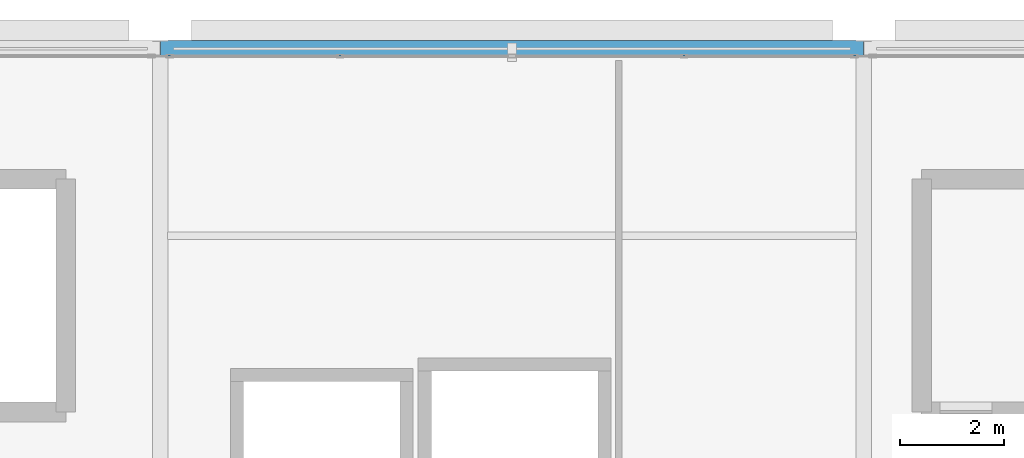
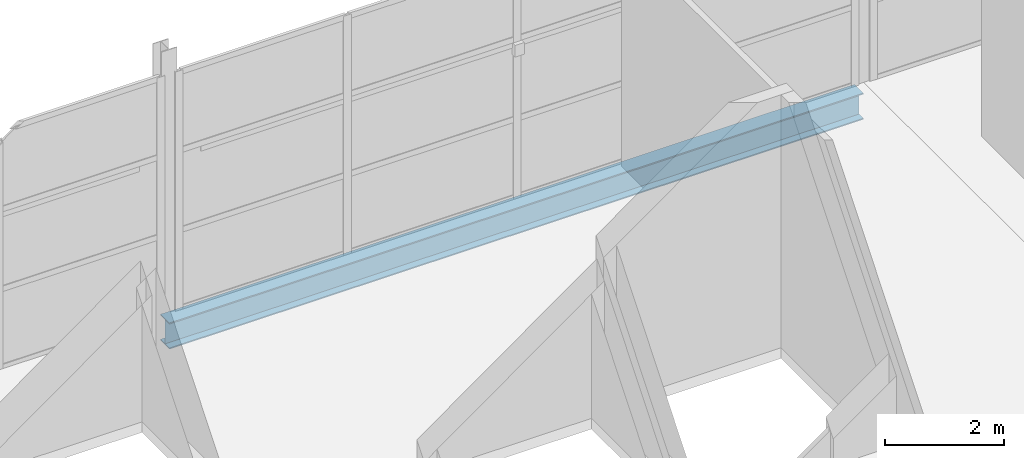
# One storey, part 23 of 34: 1 beam.
"""IFC4 building model written with IfcOpenShell, lengths in metres."""

from ifc_helpers import new_model, si_unit, direction, frame, origin, origin_2d, place, context, subcontext, project, spatial, i_section, extrude, material, material_profile, profile_set, type_object, element, save


model = new_model("IFC4")

# Units and contexts
model_context = context("Model", 3, precision=1e-05, world=origin(), true_north=direction((0.0, 1.0)))
body_context = subcontext(model_context, "Body", "Model", "MODEL_VIEW")
ifc_project = project(units=[si_unit("LENGTHUNIT", "METRE"), si_unit("AREAUNIT", "SQUARE_METRE"), si_unit("VOLUMEUNIT", "CUBIC_METRE"), si_unit("PLANEANGLEUNIT", "RADIAN"), si_unit("MASSUNIT", "GRAM", prefix="KILO")], contexts=[model_context])

# Site, building, storey
site_placement = place(None, origin())
site = spatial("IfcSite", under=ifc_project, at=site_placement, CompositionType="ELEMENT")
building_placement = place(site_placement, origin())
building = spatial("IfcBuilding", under=site, at=building_placement, Name="Tamarisk Ironworks Central Station", CompositionType="ELEMENT")
storey_placement = place(building_placement, frame((0.0, 0.0, 25.199951171875)))
storey = spatial("IfcBuildingStorey", under=building, at=storey_placement, Name="L05", CompositionType="ELEMENT", Elevation=25.199951171875)

# Beam
ifc_material = material(Name="Structural steel S355J2", Category="steel")
ifc_material_profile = material_profile(ifc_material, i_section(OverallWidth=0.300048828125, OverallDepth=0.5400390625, WebThickness=0.012451171875, FlangeThickness=0.02392578125, at=origin_2d()), Name="HEA 550")
ifc_profile_set = profile_set([ifc_material_profile], Name="Structural steel S355J2")
beam_type = type_object("IfcBeamType", Name="BM-G04", PredefinedType="BEAM", material=ifc_profile_set)
beam_placement = place(storey_placement, frame((153.00390625, 122.39990234375, -0.489990234375), z_axis=(1.0, 0.0, 0.0), x_axis=(0.0, 1.0, 0.0)))
element("IfcBeam", 1, at=beam_placement, inside=storey, type_object=beam_type, Name="L05 primary girder X-0768", PredefinedType="BEAM", context=body_context, shape_type="SweptSolid", body=[
    extrude(i_section(OverallWidth=0.300048828125, OverallDepth=0.5400390625, WebThickness=0.012451171875, FlangeThickness=0.02392578125, at=origin_2d()), origin(), (0.0, 0.0, 1.0), 13.4921875),
])

save(model, "model.ifc")
